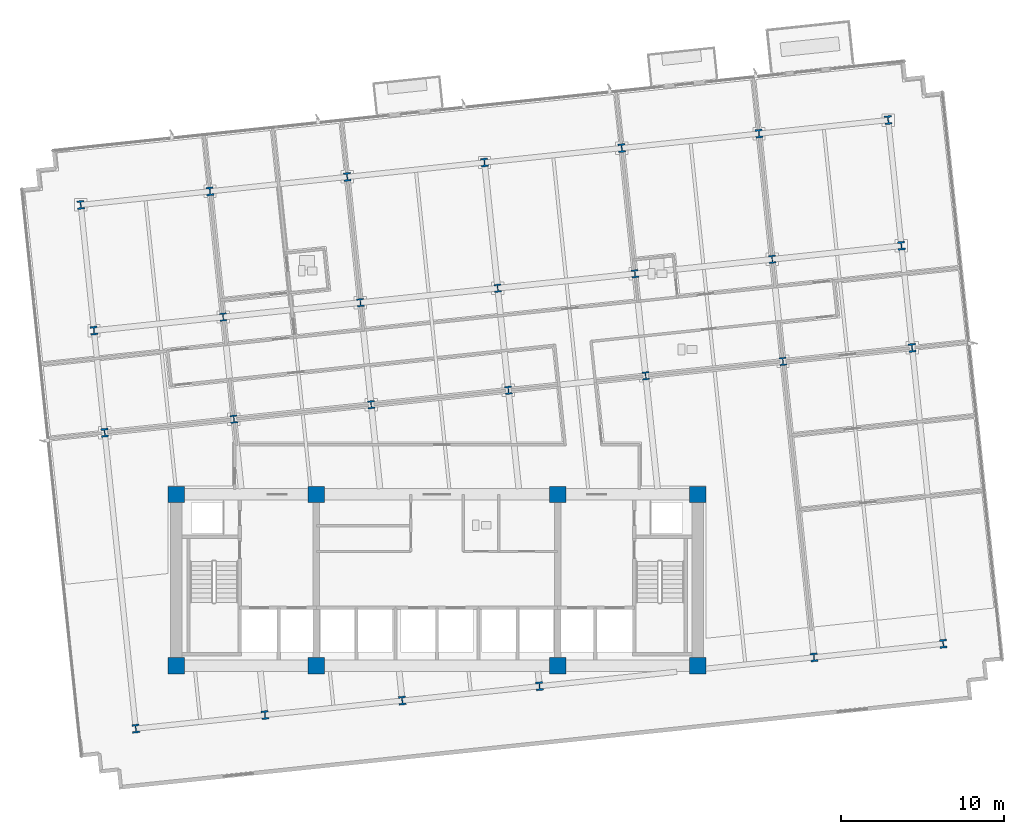
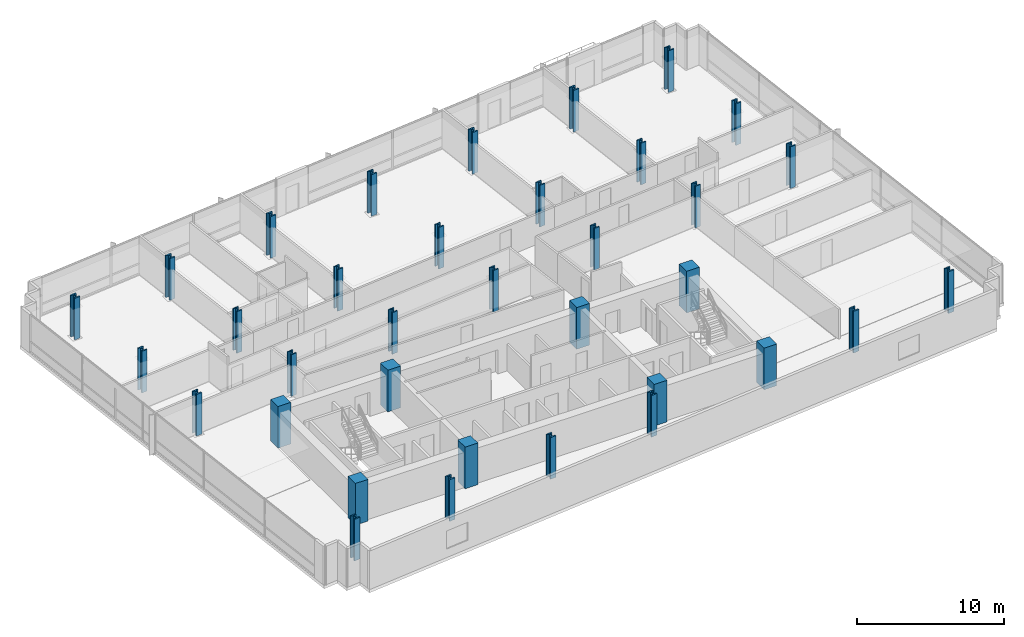
# One storey, part 1 of 21: 35 columns.
"""IFC4 building model written with IfcOpenShell, lengths in metres."""

from ifc_helpers import new_model, si_unit, direction, frame, origin, origin_2d, place, context, subcontext, project, spatial, rectangle, i_section, extrude, material, material_profile, profile_set, type_object, element, save


model = new_model("IFC4")

# Units and contexts
model_context = context("Model", 3, precision=1e-05, world=origin(), true_north=direction((0.0, 1.0)))
body_context = subcontext(model_context, "Body", "Model", "MODEL_VIEW")
ifc_project = project(units=[si_unit("LENGTHUNIT", "METRE"), si_unit("AREAUNIT", "SQUARE_METRE"), si_unit("VOLUMEUNIT", "CUBIC_METRE"), si_unit("PLANEANGLEUNIT", "RADIAN"), si_unit("MASSUNIT", "GRAM", prefix="KILO")], contexts=[model_context])

# Site, building, storey
site_placement = place(None, origin())
site = spatial("IfcSite", under=ifc_project, at=site_placement, CompositionType="ELEMENT")
building_placement = place(site_placement, origin())
building = spatial("IfcBuilding", under=site, at=building_placement, Name="Solmavex Isthmus Hotel", CompositionType="ELEMENT")
storey_placement = place(building_placement, frame((0.0, 0.0, 106.35009765625)))
storey = spatial("IfcBuildingStorey", under=building, at=storey_placement, Name="L28", CompositionType="ELEMENT", Elevation=106.35009765625)

# Columns
ifc_material_1 = material(Name="Concrete C60/75", Category="concrete")
ifc_material_profile_1 = material_profile(ifc_material_1, rectangle(XDim=1.0, YDim=1.0, at=origin_2d()), Name="RC1000X1000")
ifc_profile_set_1 = profile_set([ifc_material_profile_1], Name="Concrete C60/75")
column_type_1 = type_object("IfcColumnType", Name="COL-CC-1000", PredefinedType="COLUMN", material=ifc_profile_set_1)
for number, where, z_axis, x_axis, name in (
    (1, (-16.0, -13.0, 0.0), (0.0, 0.0, 1.0), (1.0, 0.0, 0.0), "Core Pilaster CC-SW L28"),
    (2, (-7.39990234375, -13.0, 0.0), (0.0, 0.0, 1.0), (1.0, 0.0, 0.0), "Core Pilaster CC-S1 L28"),
    (3, (7.39990234375, -13.0, 0.0), (0.0, 0.0, 1.0), (1.0, 0.0, 0.0), "Core Pilaster CC-S2 L28"),
    (4, (16.0, -13.0, 0.0), (0.0, 0.0, 1.0), (1.0, 0.0, 0.0), "Core Pilaster CC-SE L28"),
    (5, (-16.0, -2.5, 0.0), (0.0, 0.0, 1.0), (1.0, 0.0, 0.0), "Core Pilaster CC-NW L28"),
    (6, (-7.39990234375, -2.5, 0.0), (0.0, 0.0, 1.0), (1.0, 0.0, 0.0), "Core Pilaster CC-N1 L28"),
    (7, (7.39990234375, -2.5, 0.0), (0.0, 0.0, 1.0), (1.0, 0.0, 0.0), "Core Pilaster CC-N2 L28"),
    (8, (16.0, -2.5, 0.0), (0.0, 0.0, 1.0), (1.0, 0.0, 0.0), "Core Pilaster CC-NE L28"),
):
    element("IfcColumn", number, at=place(storey_placement, frame(where, z_axis=z_axis, x_axis=x_axis)), inside=storey, type_object=column_type_1, Name=name, PredefinedType="COLUMN", context=body_context, shape_type="SweptSolid", body=[
        extrude(rectangle(XDim=1.0, YDim=1.0, at=origin_2d()), origin(), (0.0, 0.0, 1.0), 3.449951171875),
    ])
ifc_material_2 = material(Name="Steel ASTM A913 Grade 65", Category="steel")
ifc_material_profile_2 = material_profile(ifc_material_2, i_section(OverallWidth=0.43212890625, OverallDepth=0.497802734375, WebThickness=0.0556640625, FlangeThickness=0.0888671875, FilletRadius=0.030517578125, at=origin_2d()), Name="W14X500")
ifc_profile_set_2 = profile_set([ifc_material_profile_2], Name="Steel ASTM A913 Grade 65")
column_type_2 = type_object("IfcColumnType", Name="COL-SC-W14X500", PredefinedType="COLUMN", material=ifc_profile_set_2)
for number, where, z_axis, x_axis, name in (
    (9, (-12.458740234375, 2.11865234375, 0.0), (0.0, 0.0, 1.0), (0.994521895368, 0.104528463268, 0.0), "Tower Column B2-U2V2 L28"),
    (10, (-13.1171875, 8.382080078125, 0.0), (0.0, 0.0, 1.0), (0.994521895368, 0.104528463268, 0.0), "Tower Column B2-U2V3 L28"),
    (11, (-4.0390625, 3.003662109375, 0.0), (0.0, 0.0, 1.0), (0.994521895368, 0.104528463268, 0.0), "Tower Column B2-U3V2 L28"),
    (12, (-4.697509765625, 9.26708984375, 0.0), (0.0, 0.0, 1.0), (0.994521895368, 0.104528463268, 0.0), "Tower Column B2-U3V3 L28"),
    (13, (4.38037109375, 3.888427734375, 0.0), (0.0, 0.0, 1.0), (0.994521895368, 0.104528463268, 0.0), "Tower Column B2-U4V2 L28"),
    (14, (3.72216796875, 10.152099609375, 0.0), (0.0, 0.0, 1.0), (0.994521895368, 0.104528463268, 0.0), "Tower Column B2-U4V3 L28"),
    (15, (12.800048828125, 4.7734375, 0.0), (0.0, 0.0, 1.0), (0.994521895368, 0.104528463268, 0.0), "Tower Column B2-U5V2 L28"),
    (16, (12.141845703125, 11.036865234375, 0.0), (0.0, 0.0, 1.0), (0.994521895368, 0.104528463268, 0.0), "Tower Column B2-U5V3 L28"),
    (17, (21.2197265625, 5.658447265625, 0.0), (0.0, 0.0, 1.0), (0.994521895368, 0.104528463268, 0.0), "Tower Column B2-U6V2 L28"),
    (18, (20.5615234375, 11.921875, 0.0), (0.0, 0.0, 1.0), (0.994521895368, 0.104528463268, 0.0), "Tower Column B2-U6V3 L28"),
):
    element("IfcColumn", number, at=place(storey_placement, frame(where, z_axis=z_axis, x_axis=x_axis)), inside=storey, type_object=column_type_2, Name=name, PredefinedType="COLUMN", context=body_context, shape_type="SweptSolid", body=[
        extrude(i_section(OverallWidth=0.43212890625, OverallDepth=0.497802734375, WebThickness=0.0556640625, FlangeThickness=0.0888671875, FilletRadius=0.030517578125, at=origin_2d()), origin(), (0.0, 0.0, 1.0), 3.449951171875),
    ])
ifc_material_profile_3 = material_profile(ifc_material_2, i_section(OverallWidth=0.442138671875, OverallDepth=0.531494140625, WebThickness=0.06591796875, FlangeThickness=0.105712890625, FilletRadius=0.030517578125, at=origin_2d()), Name="W14X605")
ifc_profile_set_3 = profile_set([ifc_material_profile_3], Name="Steel ASTM A913 Grade 65")
column_type_3 = type_object("IfcColumnType", Name="COL-SC-W14X605", PredefinedType="COLUMN", material=ifc_profile_set_3)
for number, where, z_axis, x_axis, name in (
    (19, (-18.475341796875, -16.8642578125, 0.0), (0.0, 0.0, 1.0), (0.994521895368, 0.104528463268, 0.0), "Tower Column B2-U1V1 L28"),
    (20, (-20.383056640625, 1.28564453125, 0.0), (0.0, 0.0, 1.0), (0.994521895368, 0.104528463268, 0.0), "Tower Column B2-U1V2 L28"),
    (21, (-21.04150390625, 7.54931640625, 0.0), (0.0, 0.0, 1.0), (0.994521895368, 0.104528463268, 0.0), "Tower Column B2-U1V3 L28"),
    (22, (-21.851806640625, 15.2587890625, 0.0), (0.0, 0.0, 1.0), (0.994521895368, 0.104528463268, 0.0), "Tower Column B2-U1V4 L28"),
    (23, (-10.551025390625, -16.031494140625, 0.0), (0.0, 0.0, 1.0), (0.994521895368, 0.104528463268, 0.0), "Tower Column B2-U2V1 L28"),
    (24, (-13.927490234375, 16.091552734375, 0.0), (0.0, 0.0, 1.0), (0.994521895368, 0.104528463268, 0.0), "Tower Column B2-U2V4 L28"),
    (25, (-2.131591796875, -15.146484375, 0.0), (0.0, 0.0, 1.0), (0.994521895368, 0.104528463268, 0.0), "Tower Column B2-U3V1 L28"),
    (26, (-5.5078125, 16.9765625, 0.0), (0.0, 0.0, 1.0), (0.994521895368, 0.104528463268, 0.0), "Tower Column B2-U3V4 L28"),
    (27, (6.2880859375, -14.261474609375, 0.0), (0.0, 0.0, 1.0), (0.994521895368, 0.104528463268, 0.0), "Tower Column B2-U4V1 L28"),
    (28, (2.911865234375, 17.861572265625, 0.0), (0.0, 0.0, 1.0), (0.994521895368, 0.104528463268, 0.0), "Tower Column B2-U4V4 L28"),
    (29, (11.33154296875, 18.74658203125, 0.0), (0.0, 0.0, 1.0), (0.994521895368, 0.104528463268, 0.0), "Tower Column B2-U5V4 L28"),
    (30, (23.12744140625, -12.49169921875, 0.0), (0.0, 0.0, 1.0), (0.994521895368, 0.104528463268, 0.0), "Tower Column B2-U6V1 L28"),
    (31, (19.751220703125, 19.63134765625, 0.0), (0.0, 0.0, 1.0), (0.994521895368, 0.104528463268, 0.0), "Tower Column B2-U6V4 L28"),
    (32, (31.0517578125, -11.65869140625, 0.0), (0.0, 0.0, 1.0), (0.994521895368, 0.104528463268, 0.0), "Tower Column B2-U7V1 L28"),
    (33, (29.14404296875, 6.4912109375, 0.0), (0.0, 0.0, 1.0), (0.994521895368, 0.104528463268, 0.0), "Tower Column B2-U7V2 L28"),
    (34, (28.48583984375, 12.754638671875, 0.0), (0.0, 0.0, 1.0), (0.994521895368, 0.104528463268, 0.0), "Tower Column B2-U7V3 L28"),
    (35, (27.675537109375, 20.46435546875, 0.0), (0.0, 0.0, 1.0), (0.994521895368, 0.104528463268, 0.0), "Tower Column B2-U7V4 L28"),
):
    element("IfcColumn", number, at=place(storey_placement, frame(where, z_axis=z_axis, x_axis=x_axis)), inside=storey, type_object=column_type_3, Name=name, PredefinedType="COLUMN", context=body_context, shape_type="SweptSolid", body=[
        extrude(i_section(OverallWidth=0.442138671875, OverallDepth=0.531494140625, WebThickness=0.06591796875, FlangeThickness=0.105712890625, FilletRadius=0.030517578125, at=origin_2d()), origin(), (0.0, 0.0, 1.0), 3.449951171875),
    ])

save(model, "model.ifc")
